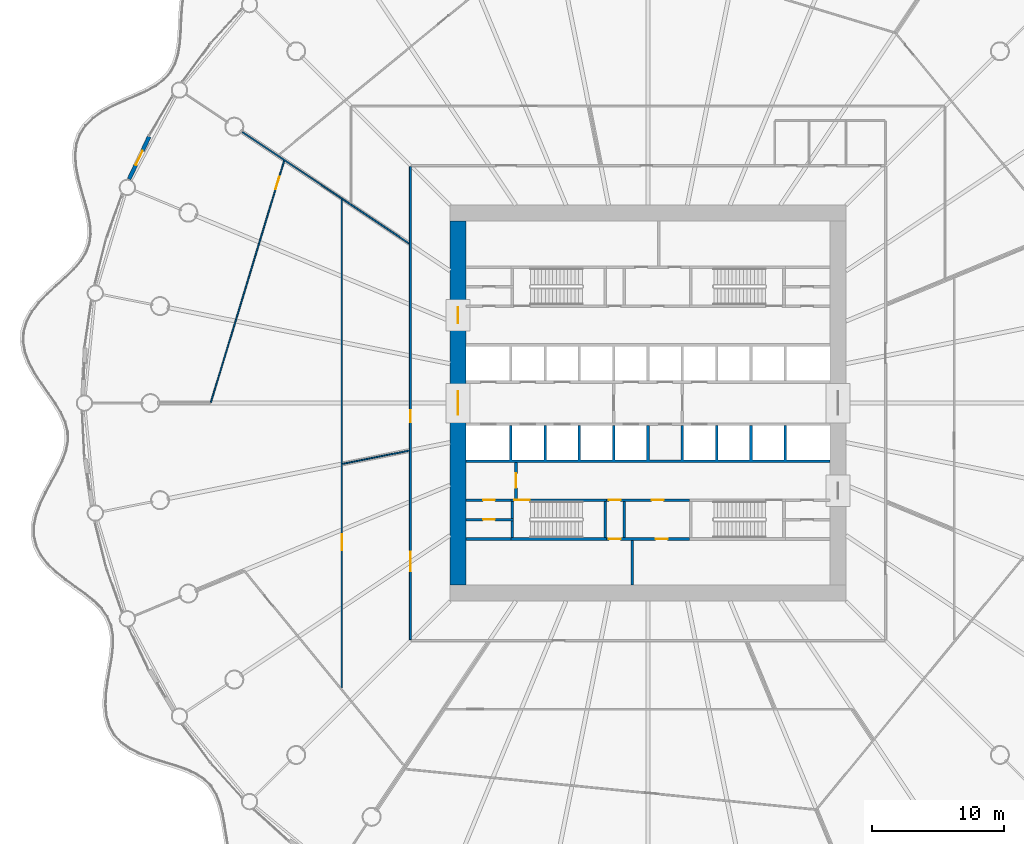
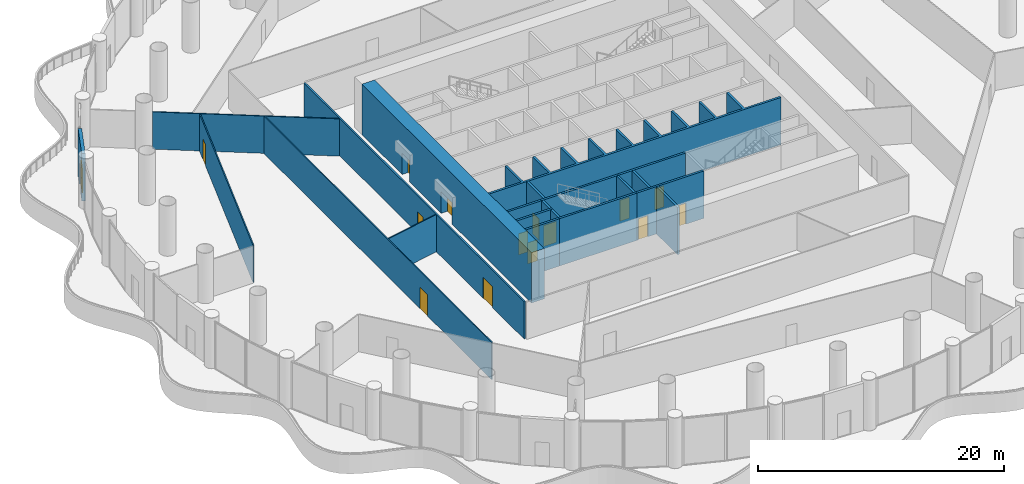
# One storey, part 25 of 38: 21 walls, 15 doors, 15 openings.
"""IFC4 building model written with IfcOpenShell, lengths in metres."""

from ifc_helpers import new_model, si_unit, direction, frame, frame_2d, origin, place, context, subcontext, project, spatial, polyline, rectangle, outline, extrude, material, layer, layer_set, type_object, element, fill, save


model = new_model("IFC4")

# Units and contexts
model_context = context("Model", 3, precision=1e-05, world=origin(), true_north=direction((0.0, 1.0)))
body_context = subcontext(model_context, "Body", "Model", "MODEL_VIEW")
ifc_project = project(units=[si_unit("LENGTHUNIT", "METRE"), si_unit("AREAUNIT", "SQUARE_METRE"), si_unit("VOLUMEUNIT", "CUBIC_METRE"), si_unit("PLANEANGLEUNIT", "RADIAN"), si_unit("MASSUNIT", "GRAM", prefix="KILO")], contexts=[model_context])

# Site, building, storey
site_placement = place(None, origin())
site = spatial("IfcSite", under=ifc_project, at=site_placement, CompositionType="ELEMENT")
building_placement = place(site_placement, origin())
building = spatial("IfcBuilding", under=site, at=building_placement, Name="Corvane Civic Tower", CompositionType="ELEMENT")
storey_placement = place(building_placement, frame((0.0, 0.0, 32.0)))
storey = spatial("IfcBuildingStorey", under=building, at=storey_placement, Name="L06", CompositionType="ELEMENT", Elevation=32.0)

# Wall, openings, doors
ifc_material_1 = material(Name="Concrete C80/95", Category="concrete")
ifc_layer_1 = layer(ifc_material_1, 1.199951171875)
ifc_layer_set_1 = layer_set([ifc_layer_1], Name="Concrete C80/95")
wall_type_1 = type_object("IfcWallType", Name="CORE WALL 1200 C80/95", PredefinedType="SHEAR", material=ifc_layer_set_1)
wall_1_placement = place(storey_placement, frame((-14.39990234375, -13.800048828125, 0.0), z_axis=(0.0, 0.0, 1.0), x_axis=(0.0, 1.0, 0.0)))
wall_1 = element("IfcWall", 1, at=wall_1_placement, inside=storey, type_object=wall_type_1, Name="W-L06-core-W", PredefinedType="SHEAR", context=body_context, shape_type="SweptSolid", body=[
    extrude(rectangle(XDim=27.60009765625, YDim=1.199951171875, at=frame_2d((13.800048828125, 0.0))), origin(), (0.0, 0.0, 1.0), 5.0),
])
opening_1_placement = place(wall_1_placement, frame((12.89990234375, 0.0, 0.0)))
opening_1 = element("IfcOpeningElement", 2, at=opening_1_placement, cuts=wall_1, Name="Opening L06.C25", PredefinedType="OPENING", context=body_context, shape_type="SweptSolid", body=[
    extrude(rectangle(XDim=1.800048828125, YDim=2.10009765625, at=frame_2d((0.89990234375, 1.050048828125))), frame((0.0, 0.60986328125, 0.0), z_axis=(0.0, -1.0, 0.0), x_axis=(1.0, 0.0, 0.0)), (0.0, 0.0, 1.0), 1.219970703125),
])
opening_2_placement = place(wall_1_placement, frame((19.85009765625, 0.0, 0.0)))
opening_2 = element("IfcOpeningElement", 3, at=opening_2_placement, cuts=wall_1, Name="Opening L06.C27", PredefinedType="OPENING", context=body_context, shape_type="SweptSolid", body=[
    extrude(rectangle(XDim=1.199951171875, YDim=2.10009765625, at=frame_2d((0.60009765625, 1.050048828125))), frame((0.0, 0.60986328125, 0.0), z_axis=(0.0, -1.0, 0.0), x_axis=(1.0, 0.0, 0.0)), (0.0, 0.0, 1.0), 1.219970703125),
])
ifc_material_2 = material(Name="Steel fire door leaf", Category="steel")
door_type_1 = type_object("IfcDoorType", Name="CR-DOOR-CORE-1800", OperationType="DOUBLE_DOOR_SINGLE_SWING", PredefinedType="DOOR", material=ifc_material_2)
door_1_placement = place(opening_1_placement, origin())
door_1 = element("IfcDoor", 4, at=door_1_placement, inside=storey, type_object=door_type_1, Name="L06 door", OperationType="DOUBLE_DOOR_SINGLE_SWING", OverallHeight=2.10009765625, OverallWidth=1.800048828125, PredefinedType="DOOR", context=body_context, shape_type="SweptSolid", body=[
    extrude(rectangle(XDim=1.800048828125, YDim=2.10009765625, at=frame_2d((0.89990234375, 1.050048828125))), frame((0.0, 0.02490234375, 0.0), z_axis=(0.0, -1.0, 0.0), x_axis=(1.0, 0.0, 0.0)), (0.0, 0.0, 1.0), 0.050048828125),
])
fill(opening_1, door_1)
door_2_placement = place(opening_2_placement, origin())
door_2 = element("IfcDoor", 5, at=door_2_placement, inside=storey, type_object=door_type_1, Name="L06 door", OperationType="DOUBLE_DOOR_SINGLE_SWING", OverallHeight=2.10009765625, OverallWidth=1.199951171875, PredefinedType="DOOR", context=body_context, shape_type="SweptSolid", body=[
    extrude(rectangle(XDim=1.199951171875, YDim=2.10009765625, at=frame_2d((0.60009765625, 1.050048828125))), frame((0.0, 0.02490234375, 0.0), z_axis=(0.0, -1.0, 0.0), x_axis=(1.0, 0.0, 0.0)), (0.0, 0.0, 1.0), 0.050048828125),
])
fill(opening_2, door_2)

ifc_material_3 = material(Name="Concrete C30/37", Category="concrete")
ifc_layer_2 = layer(ifc_material_3, 0.199951171875)
ifc_layer_set_2 = layer_set([ifc_layer_2], Name="Concrete C30/37")
wall_type_2 = type_object("IfcWallType", Name="CR-WALL-200", PredefinedType="PARTITIONING", material=ifc_layer_set_2)
wall_2_placement = place(storey_placement, frame((-3.14990234375, -10.300048828125, 0.0), z_axis=(0.0, 0.0, 1.0), x_axis=(1.0, 0.0, 0.0)))
wall_2 = element("IfcWall", 6, at=wall_2_placement, inside=storey, type_object=wall_type_2, Name="L06 partition wall", PredefinedType="PARTITIONING", context=body_context, shape_type="SweptSolid", body=[
    extrude(rectangle(XDim=6.2998046875, YDim=0.199951171875, at=frame_2d((3.14990234375, 0.0))), origin(), (0.0, 0.0, 1.0), 4.699951171875),
])
opening_3_placement = place(wall_2_placement, frame((0.175048828125, 0.0, 0.0)))
opening_3 = element("IfcOpeningElement", 7, at=opening_3_placement, cuts=wall_2, Name="Opening L06.C08", PredefinedType="OPENING", context=body_context, shape_type="SweptSolid", body=[
    extrude(rectangle(XDim=0.89990234375, YDim=2.10009765625, at=frame_2d((0.449951171875, 1.050048828125))), frame((0.0, 0.10986328125, 0.0), z_axis=(0.0, -1.0, 0.0), x_axis=(1.0, 0.0, 0.0)), (0.0, 0.0, 1.0), 0.219970703125),
])
opening_4_placement = place(wall_2_placement, frame((3.72509765625, 0.0, 0.0)))
opening_4 = element("IfcOpeningElement", 8, at=opening_4_placement, cuts=wall_2, Name="Opening L06.C09", PredefinedType="OPENING", context=body_context, shape_type="SweptSolid", body=[
    extrude(rectangle(XDim=0.89990234375, YDim=2.10009765625, at=frame_2d((0.449951171875, 1.050048828125))), frame((0.0, 0.10986328125, 0.0), z_axis=(0.0, -1.0, 0.0), x_axis=(1.0, 0.0, 0.0)), (0.0, 0.0, 1.0), 0.219970703125),
])
ifc_material_4 = material(Name="Steel fire door leaf", Category="steel")
door_type_2 = type_object("IfcDoorType", Name="CR-DOOR-900", OperationType="SINGLE_SWING_LEFT", PredefinedType="DOOR", material=ifc_material_4)
door_3_placement = place(opening_3_placement, origin())
door_3 = element("IfcDoor", 9, at=door_3_placement, inside=storey, type_object=door_type_2, Name="L06 door", OperationType="SINGLE_SWING_LEFT", OverallHeight=2.10009765625, OverallWidth=0.89990234375, PredefinedType="DOOR", context=body_context, shape_type="SweptSolid", body=[
    extrude(rectangle(XDim=0.89990234375, YDim=2.10009765625, at=frame_2d((0.449951171875, 1.050048828125))), frame((0.0, 0.02490234375, 0.0), z_axis=(0.0, -1.0, 0.0), x_axis=(1.0, 0.0, 0.0)), (0.0, 0.0, 1.0), 0.050048828125),
])
fill(opening_3, door_3)
door_4_placement = place(opening_4_placement, origin())
door_4 = element("IfcDoor", 10, at=door_4_placement, inside=storey, type_object=door_type_2, Name="L06 door", OperationType="SINGLE_SWING_LEFT", OverallHeight=2.10009765625, OverallWidth=0.89990234375, PredefinedType="DOOR", context=body_context, shape_type="SweptSolid", body=[
    extrude(rectangle(XDim=0.89990234375, YDim=2.10009765625, at=frame_2d((0.449951171875, 1.050048828125))), frame((0.0, 0.02490234375, 0.0), z_axis=(0.0, -1.0, 0.0), x_axis=(1.0, 0.0, 0.0)), (0.0, 0.0, 1.0), 0.050048828125),
])
fill(opening_4, door_4)

# Wall, opening, door
wall_3_placement = place(storey_placement, frame((-13.800048828125, -8.824951171875, 0.0), z_axis=(0.0, 0.0, 1.0), x_axis=(1.0, 0.0, 0.0)))
wall_3 = element("IfcWall", 11, at=wall_3_placement, inside=storey, type_object=wall_type_2, Name="L06 partition wall", PredefinedType="PARTITIONING", context=body_context, shape_type="SweptSolid", body=[
    extrude(rectangle(XDim=3.60009765625, YDim=0.199951171875, at=frame_2d((1.800048828125, 0.0))), origin(), (0.0, 0.0, 1.0), 4.699951171875),
])
opening_5_placement = place(wall_3_placement, frame((1.300048828125, 0.0, 0.0)))
opening_5 = element("IfcOpeningElement", 12, at=opening_5_placement, cuts=wall_3, Name="Opening L06.C13", PredefinedType="OPENING", context=body_context, shape_type="SweptSolid", body=[
    extrude(rectangle(XDim=0.89990234375, YDim=2.10009765625, at=frame_2d((0.449951171875, 1.050048828125))), frame((0.0, 0.10986328125, 0.0), z_axis=(0.0, -1.0, 0.0), x_axis=(1.0, 0.0, 0.0)), (0.0, 0.0, 1.0), 0.219970703125),
])
door_5_placement = place(opening_5_placement, origin())
door_5 = element("IfcDoor", 13, at=door_5_placement, inside=storey, type_object=door_type_2, Name="L06 door", OperationType="SINGLE_SWING_LEFT", OverallHeight=2.10009765625, OverallWidth=0.89990234375, PredefinedType="DOOR", context=body_context, shape_type="SweptSolid", body=[
    extrude(rectangle(XDim=0.89990234375, YDim=2.10009765625, at=frame_2d((0.449951171875, 1.050048828125))), frame((0.0, 0.02490234375, 0.0), z_axis=(0.0, -1.0, 0.0), x_axis=(1.0, 0.0, 0.0)), (0.0, 0.0, 1.0), 0.050048828125),
])
fill(opening_5, door_5)

wall_4_placement = place(storey_placement, frame((-13.800048828125, -7.35009765625, 0.0), z_axis=(0.0, 0.0, 1.0), x_axis=(1.0, 0.0, 0.0)))
wall_4 = element("IfcWall", 14, at=wall_4_placement, inside=storey, type_object=wall_type_2, Name="L06 core partition wall", PredefinedType="PARTITIONING", context=body_context, shape_type="SweptSolid", body=[
    extrude(rectangle(XDim=3.400146484375, YDim=0.199951171875, at=frame_2d((1.7001953125, 0.0))), origin(), (0.0, 0.0, 1.0), 4.699951171875),
])
opening_6_placement = place(wall_4_placement, frame((1.300048828125, 0.0, 0.0)))
opening_6 = element("IfcOpeningElement", 15, at=opening_6_placement, cuts=wall_4, Name="Opening L06.C12", PredefinedType="OPENING", context=body_context, shape_type="SweptSolid", body=[
    extrude(rectangle(XDim=0.89990234375, YDim=2.10009765625, at=frame_2d((0.449951171875, 1.050048828125))), frame((0.0, 0.10986328125, 0.0), z_axis=(0.0, -1.0, 0.0), x_axis=(1.0, 0.0, 0.0)), (0.0, 0.0, 1.0), 0.219970703125),
])
door_6_placement = place(opening_6_placement, origin())
door_6 = element("IfcDoor", 16, at=door_6_placement, inside=storey, type_object=door_type_2, Name="L06 door", OperationType="SINGLE_SWING_LEFT", OverallHeight=2.10009765625, OverallWidth=0.89990234375, PredefinedType="DOOR", context=body_context, shape_type="SweptSolid", body=[
    extrude(rectangle(XDim=0.89990234375, YDim=2.10009765625, at=frame_2d((0.449951171875, 1.050048828125))), frame((0.0, 0.02490234375, 0.0), z_axis=(0.0, -1.0, 0.0), x_axis=(1.0, 0.0, 0.0)), (0.0, 0.0, 1.0), 0.050048828125),
])
fill(opening_6, door_6)

# Wall, openings, doors
wall_5_placement = place(storey_placement, frame((-3.14990234375, -7.35009765625, 0.0), z_axis=(0.0, 0.0, 1.0), x_axis=(1.0, 0.0, 0.0)))
wall_5 = element("IfcWall", 17, at=wall_5_placement, inside=storey, type_object=wall_type_2, Name="L06 core partition wall", PredefinedType="PARTITIONING", context=body_context, shape_type="SweptSolid", body=[
    extrude(rectangle(XDim=6.2998046875, YDim=0.199951171875, at=frame_2d((3.14990234375, 0.0))), origin(), (0.0, 0.0, 1.0), 4.699951171875),
])
opening_7_placement = place(wall_5_placement, frame((0.175048828125, 0.0, 0.0)))
opening_7 = element("IfcOpeningElement", 18, at=opening_7_placement, cuts=wall_5, Name="Opening L06.C04", PredefinedType="OPENING", context=body_context, shape_type="SweptSolid", body=[
    extrude(rectangle(XDim=0.89990234375, YDim=2.10009765625, at=frame_2d((0.449951171875, 1.050048828125))), frame((0.0, 0.10986328125, 0.0), z_axis=(0.0, -1.0, 0.0), x_axis=(1.0, 0.0, 0.0)), (0.0, 0.0, 1.0), 0.219970703125),
])
opening_8_placement = place(wall_5_placement, frame((3.425048828125, 0.0, 0.0)))
opening_8 = element("IfcOpeningElement", 19, at=opening_8_placement, cuts=wall_5, Name="Opening L06.C05", PredefinedType="OPENING", context=body_context, shape_type="SweptSolid", body=[
    extrude(rectangle(XDim=0.89990234375, YDim=2.10009765625, at=frame_2d((0.449951171875, 1.050048828125))), frame((0.0, 0.10986328125, 0.0), z_axis=(0.0, -1.0, 0.0), x_axis=(1.0, 0.0, 0.0)), (0.0, 0.0, 1.0), 0.219970703125),
])
door_7_placement = place(opening_7_placement, origin())
door_7 = element("IfcDoor", 20, at=door_7_placement, inside=storey, type_object=door_type_2, Name="L06 door", OperationType="SINGLE_SWING_LEFT", OverallHeight=2.10009765625, OverallWidth=0.89990234375, PredefinedType="DOOR", context=body_context, shape_type="SweptSolid", body=[
    extrude(rectangle(XDim=0.89990234375, YDim=2.10009765625, at=frame_2d((0.449951171875, 1.050048828125))), frame((0.0, 0.02490234375, 0.0), z_axis=(0.0, -1.0, 0.0), x_axis=(1.0, 0.0, 0.0)), (0.0, 0.0, 1.0), 0.050048828125),
])
fill(opening_7, door_7)
door_8_placement = place(opening_8_placement, origin())
door_8 = element("IfcDoor", 21, at=door_8_placement, inside=storey, type_object=door_type_2, Name="L06 door", OperationType="SINGLE_SWING_LEFT", OverallHeight=2.10009765625, OverallWidth=0.89990234375, PredefinedType="DOOR", context=body_context, shape_type="SweptSolid", body=[
    extrude(rectangle(XDim=0.89990234375, YDim=2.10009765625, at=frame_2d((0.449951171875, 1.050048828125))), frame((0.0, 0.02490234375, 0.0), z_axis=(0.0, -1.0, 0.0), x_axis=(1.0, 0.0, 0.0)), (0.0, 0.0, 1.0), 0.050048828125),
])
fill(opening_8, door_8)

# Wall, opening, door
wall_6_placement = place(storey_placement, frame((-10.0, -7.25, 0.0), z_axis=(0.0, 0.0, 1.0), x_axis=(0.0, 1.0, 0.0)))
wall_6 = element("IfcWall", 22, at=wall_6_placement, inside=storey, type_object=wall_type_2, Name="L06 core partition wall", PredefinedType="PARTITIONING", context=body_context, shape_type="SweptSolid", body=[
    extrude(rectangle(XDim=2.75, YDim=0.199951171875, at=frame_2d((1.375, 0.0))), origin(), (0.0, 0.0, 1.0), 4.699951171875),
])
opening_9_placement = place(wall_6_placement, frame((0.824951171875, 0.0, 0.0)))
opening_9 = element("IfcOpeningElement", 23, at=opening_9_placement, cuts=wall_6, Name="Opening L06.C24", PredefinedType="OPENING", context=body_context, shape_type="SweptSolid", body=[
    extrude(rectangle(XDim=1.10009765625, YDim=2.10009765625, at=frame_2d((0.550048828125, 1.050048828125))), frame((0.0, 0.10986328125, 0.0), z_axis=(0.0, -1.0, 0.0), x_axis=(1.0, 0.0, 0.0)), (0.0, 0.0, 1.0), 0.219970703125),
])
ifc_material_5 = material(Name="Steel fire door leaf", Category="steel")
door_type_3 = type_object("IfcDoorType", Name="CR-DOOR-FFL-1100", OperationType="SINGLE_SWING_LEFT", PredefinedType="DOOR", material=ifc_material_5)
door_9_placement = place(opening_9_placement, origin())
door_9 = element("IfcDoor", 24, at=door_9_placement, inside=storey, type_object=door_type_3, Name="L06 lobby door", OperationType="SINGLE_SWING_LEFT", OverallHeight=2.10009765625, OverallWidth=1.10009765625, PredefinedType="DOOR", context=body_context, shape_type="SweptSolid", body=[
    extrude(rectangle(XDim=1.10009765625, YDim=2.10009765625, at=frame_2d((0.550048828125, 1.050048828125))), frame((0.0, 0.02490234375, 0.0), z_axis=(0.0, -1.0, 0.0), x_axis=(1.0, 0.0, 0.0)), (0.0, 0.0, 1.0), 0.050048828125),
])
fill(opening_9, door_9)

# Walls
wall_7_placement = place(storey_placement, origin())
element("IfcWall", 25, at=wall_7_placement, inside=storey, type_object=wall_type_2, Name="L06 core partition wall", PredefinedType="PARTITIONING", context=body_context, shape_type="SweptSolid", body=[
    extrude(outline(polyline([(-10.39990234375, -10.39990234375), (-13.800048828125, -10.39990234375), (-13.800048828125, -10.199951171875), (-10.39990234375, -10.199951171875), (-10.39990234375, -10.39990234375)])), origin(), (0.0, 0.0, 1.0), 4.699951171875),
])
wall_8_placement = place(storey_placement, origin())
element("IfcWall", 26, at=wall_8_placement, inside=storey, type_object=wall_type_2, Name="L06 core partition wall", PredefinedType="PARTITIONING", context=body_context, shape_type="SweptSolid", body=[
    extrude(outline(polyline([(-1.699951171875, -7.449951171875), (-1.699951171875, -10.199951171875), (-1.89990234375, -10.199951171875), (-1.89990234375, -7.449951171875), (-1.699951171875, -7.449951171875)])), origin(), (0.0, 0.0, 1.0), 4.699951171875),
])
wall_9_placement = place(storey_placement, origin())
element("IfcWall", 27, at=wall_9_placement, inside=storey, type_object=wall_type_2, Name="L06 core partition wall", PredefinedType="PARTITIONING", context=body_context, shape_type="SweptSolid", body=[
    extrude(outline(polyline([(-1.10009765625, -13.800048828125), (-1.300048828125, -13.800048828125), (-1.300048828125, -10.39990234375), (-1.10009765625, -10.39990234375), (-1.10009765625, -13.800048828125)])), origin(), (0.0, 0.0, 1.0), 4.699951171875),
])
wall_10_placement = place(storey_placement, origin())
element("IfcWall", 28, at=wall_10_placement, inside=storey, type_object=wall_type_2, Name="L06 core partition wall", PredefinedType="PARTITIONING", context=body_context, shape_type="SweptSolid", body=[
    extrude(outline(polyline([(-10.300048828125, -1.699951171875), (-10.300048828125, -4.300048828125), (-7.89990234375, -4.300048828125), (-7.89990234375, -1.699951171875), (-7.699951171875, -1.699951171875), (-7.699951171875, -4.300048828125), (-5.300048828125, -4.300048828125), (-5.300048828125, -1.699951171875), (-5.10009765625, -1.699951171875), (-5.10009765625, -4.300048828125), (-2.699951171875, -4.300048828125), (-2.699951171875, -1.699951171875), (-2.5, -1.699951171875), (-2.5, -4.300048828125), (-0.10009765625, -4.300048828125), (-0.10009765625, -1.699951171875), (0.10009765625, -1.699951171875), (0.10009765625, -4.300048828125), (2.5, -4.300048828125), (2.5, -1.699951171875), (2.699951171875, -1.699951171875), (2.699951171875, -4.300048828125), (5.10009765625, -4.300048828125), (5.10009765625, -1.699951171875), (5.300048828125, -1.699951171875), (5.300048828125, -4.300048828125), (7.699951171875, -4.300048828125), (7.699951171875, -1.699951171875), (7.89990234375, -1.699951171875), (7.89990234375, -4.300048828125), (10.300048828125, -4.300048828125), (10.300048828125, -1.699951171875), (10.5, -1.699951171875), (10.5, -4.300048828125), (13.800048828125, -4.300048828125), (13.800048828125, -4.5), (-13.800048828125, -4.5), (-13.800048828125, -4.300048828125), (-10.5, -4.300048828125), (-10.5, -1.699951171875), (-10.300048828125, -1.699951171875)])), origin(), (0.0, 0.0, 1.0), 4.699951171875),
])

# Wall, opening, door
ifc_material_6 = material(Name="Terracotta cladding", Category="masonry")
ifc_layer_3 = layer(ifc_material_6, 0.300048828125)
ifc_layer_set_3 = layer_set([ifc_layer_3], Name="Terracotta cladding")
wall_type_3 = type_object("IfcWallType", Name="PODIUM-W-DRUMDOOR-300", PredefinedType="SOLIDWALL", material=ifc_layer_set_3)
wall_11_placement = place(storey_placement, frame((-39.317626953125, 16.9697265625, 0.0), z_axis=(0.0, 0.0, 1.0), x_axis=(0.427546758778, 0.903993235074, 0.0)))
wall_11 = element("IfcWall", 29, at=wall_11_placement, inside=storey, type_object=wall_type_3, Name="L06 drum door bay wall 27", PredefinedType="SOLIDWALL", context=body_context, shape_type="SweptSolid", body=[
    extrude(rectangle(XDim=3.559814453125, YDim=0.300048828125, at=frame_2d((1.77978515625, 0.0))), origin(), (0.0, 0.0, 1.0), 4.699951171875),
])
opening_10_placement = place(wall_11_placement, frame((1.179931640625, 0.0, 0.0)))
opening_10 = element("IfcOpeningElement", 30, at=opening_10_placement, cuts=wall_11, Name="Opening ED-L06-27", PredefinedType="OPENING", context=body_context, shape_type="SweptSolid", body=[
    extrude(rectangle(XDim=1.199951171875, YDim=2.39990234375, at=frame_2d((0.60009765625, 1.199951171875))), frame((0.0, 0.159912109375, 0.0), z_axis=(0.0, -1.0, 0.0), x_axis=(1.0, 0.0, 0.0)), (0.0, 0.0, 1.0), 0.320068359375),
])
ifc_material_7 = material(Name="Anodised aluminium and glass", Category="aluminium")
door_type_4 = type_object("IfcDoorType", Name="PODIUM-D-BALCONY-1200", OperationType="SINGLE_SWING_LEFT", PredefinedType="DOOR", material=ifc_material_7)
door_10_placement = place(opening_10_placement, origin())
door_10 = element("IfcDoor", 31, at=door_10_placement, inside=storey, type_object=door_type_4, Name="L06 balcony door 27", OperationType="SINGLE_SWING_LEFT", OverallHeight=2.39990234375, OverallWidth=1.199951171875, PredefinedType="DOOR", context=body_context, shape_type="SweptSolid", body=[
    extrude(rectangle(XDim=1.199951171875, YDim=2.39990234375, at=frame_2d((0.60009765625, 1.199951171875))), frame((0.0, 0.02490234375, 0.0), z_axis=(0.0, -1.0, 0.0), x_axis=(1.0, 0.0, 0.0)), (0.0, 0.0, 1.0), 0.050048828125),
])
fill(opening_10, door_10)

ifc_material_8 = material(Name="Plasterboard")
ifc_layer_4 = layer(ifc_material_8, 0.10009765625)
ifc_layer_set_4 = layer_set([ifc_layer_4], Name="Plasterboard")
wall_type_4 = type_object("IfcWallType", Name="Partition 100 plasterboard on studs", PredefinedType="PARTITIONING", material=ifc_layer_set_4)
wall_12_placement = place(storey_placement, frame((-23.199951171875, -21.578125, 0.0), z_axis=(0.0, 0.0, 1.0), x_axis=(0.0, 1.0, 0.0)))
wall_12 = element("IfcWall", 32, at=wall_12_placement, inside=storey, type_object=wall_type_4, Name="Partition L06.011", PredefinedType="PARTITIONING", context=body_context, shape_type="SweptSolid", body=[
    extrude(rectangle(XDim=36.986328125, YDim=0.10009765625, at=frame_2d((18.4931640625, 0.0))), origin(), (0.0, 0.0, 1.0), 3.699951171875),
])
opening_11_placement = place(wall_12_placement, frame((10.444091796875, 0.0, 0.0)))
opening_11 = element("IfcOpeningElement", 33, at=opening_11_placement, cuts=wall_12, Name="Opening L06.003", PredefinedType="OPENING", context=body_context, shape_type="SweptSolid", body=[
    extrude(rectangle(XDim=1.199951171875, YDim=2.10009765625, at=frame_2d((0.60009765625, 1.050048828125))), frame((0.0, 0.06005859375, 0.0), z_axis=(0.0, -1.0, 0.0), x_axis=(1.0, 0.0, 0.0)), (0.0, 0.0, 1.0), 0.1201171875),
])
ifc_material_9 = material(Name="Timber", Category="wood")
door_type_5 = type_object("IfcDoorType", Name="Double door 1200", OperationType="NOTDEFINED", PredefinedType="DOOR", material=ifc_material_9)
door_11_placement = place(opening_11_placement, origin())
door_11 = element("IfcDoor", 34, at=door_11_placement, inside=storey, type_object=door_type_5, Name="Door L06.003", OperationType="DOUBLE_DOOR_SINGLE_SWING", OverallHeight=2.10009765625, OverallWidth=1.199951171875, PredefinedType="DOOR", context=body_context, shape_type="SweptSolid", body=[
    extrude(rectangle(XDim=1.199951171875, YDim=2.10009765625, at=frame_2d((0.60009765625, 1.050048828125))), frame((0.0, 0.02490234375, 0.0), z_axis=(0.0, -1.0, 0.0), x_axis=(1.0, 0.0, 0.0)), (0.0, 0.0, 1.0), 0.050048828125),
])
fill(opening_11, door_11)

# Wall
wall_13_placement = place(storey_placement, frame((-23.14013671875, -4.602783203125, 0.0), z_axis=(0.0, 0.0, 1.0), x_axis=(0.98079324041, 0.195050300092, 0.0)))
element("IfcWall", 35, at=wall_13_placement, inside=storey, type_object=wall_type_4, Name="Partition L06.022", PredefinedType="PARTITIONING", context=body_context, shape_type="SweptSolid", body=[
    extrude(rectangle(XDim=5.154541015625, YDim=0.10009765625, at=frame_2d((2.5771484375, 0.0))), origin(), (0.0, 0.0, 1.0), 3.699951171875),
])

# Wall, opening, door
wall_14_placement = place(storey_placement, frame((-33.127685546875, 0.035400390625, 0.0), z_axis=(0.0, 0.0, 1.0), x_axis=(0.290281118134, 0.956941415372, 0.0)))
wall_14 = element("IfcWall", 36, at=wall_14_placement, inside=storey, type_object=wall_type_4, Name="Partition L06.025", PredefinedType="PARTITIONING", context=body_context, shape_type="SweptSolid", body=[
    extrude(rectangle(XDim=19.134765625, YDim=0.10009765625, at=frame_2d((9.5673828125, 0.0))), origin(), (0.0, 0.0, 1.0), 3.699951171875),
])
opening_12_placement = place(wall_14_placement, frame((16.896728515625, 0.0, 0.0)))
opening_12 = element("IfcOpeningElement", 37, at=opening_12_placement, cuts=wall_14, Name="Opening L06.002", PredefinedType="OPENING", context=body_context, shape_type="SweptSolid", body=[
    extrude(rectangle(XDim=1.0, YDim=2.10009765625, at=frame_2d((0.5, 1.050048828125))), frame((0.0, 0.06005859375, 0.0), z_axis=(0.0, -1.0, 0.0), x_axis=(1.0, 0.0, 0.0)), (0.0, 0.0, 1.0), 0.1201171875),
])
ifc_material_10 = material(Name="Timber", Category="wood")
door_type_6 = type_object("IfcDoorType", Name="Single door 1000", OperationType="NOTDEFINED", PredefinedType="DOOR", material=ifc_material_10)
door_12_placement = place(opening_12_placement, origin())
door_12 = element("IfcDoor", 38, at=door_12_placement, inside=storey, type_object=door_type_6, Name="Door L06.002", OperationType="SINGLE_SWING_LEFT", OverallHeight=2.10009765625, OverallWidth=1.0, PredefinedType="DOOR", context=body_context, shape_type="SweptSolid", body=[
    extrude(rectangle(XDim=1.0, YDim=2.10009765625, at=frame_2d((0.5, 1.050048828125))), frame((0.0, 0.02490234375, 0.0), z_axis=(0.0, -1.0, 0.0), x_axis=(1.0, 0.0, 0.0)), (0.0, 0.0, 1.0), 0.050048828125),
])
fill(opening_12, door_12)

# Wall
wall_15_placement = place(storey_placement, frame((-30.756103515625, 20.550537109375, 0.0), z_axis=(0.0, 0.0, 1.0), x_axis=(0.83147229833, -0.555566213074, 0.0)))
element("IfcWall", 39, at=wall_15_placement, inside=storey, type_object=wall_type_4, Name="Partition L06.028", PredefinedType="PARTITIONING", context=body_context, shape_type="SweptSolid", body=[
    extrude(rectangle(XDim=15.218017578125, YDim=0.10009765625, at=frame_2d((7.60888671875, 0.0))), origin(), (0.0, 0.0, 1.0), 3.699951171875),
])

# Wall, opening, door
ifc_material_11 = material(Name="Concrete C50/60", Category="concrete")
ifc_layer_5 = layer(ifc_material_11, 0.199951171875)
ifc_layer_set_5 = layer_set([ifc_layer_5], Name="Concrete C50/60")
wall_type_5 = type_object("IfcWallType", Name="ST-WALL-200", PredefinedType="SHEAR", material=ifc_layer_set_5)
wall_16_placement = place(storey_placement, frame((-10.39990234375, -7.35009765625, 0.0), z_axis=(0.0, 0.0, 1.0), x_axis=(1.0, 0.0, 0.0)))
wall_16 = element("IfcWall", 40, at=wall_16_placement, inside=storey, type_object=wall_type_5, Name="L06 stair enclosure wall", PredefinedType="SHEAR", context=body_context, shape_type="SweptSolid", body=[
    extrude(rectangle(XDim=7.25, YDim=0.199951171875, at=frame_2d((3.625, 0.0))), origin(), (0.0, 0.0, 1.0), 4.699951171875),
])
opening_13_placement = place(wall_16_placement, frame((0.25, 0.0, 0.0)))
opening_13 = element("IfcOpeningElement", 41, at=opening_13_placement, cuts=wall_16, Name="Opening L06.C21", PredefinedType="OPENING", context=body_context, shape_type="SweptSolid", body=[
    extrude(rectangle(XDim=1.199951171875, YDim=2.10009765625, at=frame_2d((0.60009765625, 1.050048828125))), frame((0.0, 0.10986328125, 0.0), z_axis=(0.0, -1.0, 0.0), x_axis=(1.0, 0.0, 0.0)), (0.0, 0.0, 1.0), 0.219970703125),
])
ifc_material_12 = material(Name="Steel fire door leaf", Category="steel")
door_type_7 = type_object("IfcDoorType", Name="ST-DOOR-1200", OperationType="SINGLE_SWING_RIGHT", PredefinedType="DOOR", material=ifc_material_12)
door_13_placement = place(opening_13_placement, origin())
door_13 = element("IfcDoor", 42, at=door_13_placement, inside=storey, type_object=door_type_7, Name="L06 stair door", OperationType="SINGLE_SWING_RIGHT", OverallHeight=2.10009765625, OverallWidth=1.199951171875, PredefinedType="DOOR", context=body_context, shape_type="SweptSolid", body=[
    extrude(rectangle(XDim=1.199951171875, YDim=2.10009765625, at=frame_2d((0.60009765625, 1.050048828125))), frame((0.0, 0.02490234375, 0.0), z_axis=(0.0, -1.0, 0.0), x_axis=(1.0, 0.0, 0.0)), (0.0, 0.0, 1.0), 0.050048828125),
])
fill(opening_13, door_13)

# Walls
wall_17_placement = place(storey_placement, origin())
element("IfcWall", 43, at=wall_17_placement, inside=storey, type_object=wall_type_5, Name="L06 stair enclosure wall", PredefinedType="SHEAR", context=body_context, shape_type="SweptSolid", body=[
    extrude(outline(polyline([(-3.14990234375, -10.199951171875), (-3.14990234375, -10.39990234375), (-10.39990234375, -10.39990234375), (-10.39990234375, -10.199951171875), (-3.14990234375, -10.199951171875)])), origin(), (0.0, 0.0, 1.0), 4.699951171875),
])
wall_18_placement = place(storey_placement, origin())
element("IfcWall", 44, at=wall_18_placement, inside=storey, type_object=wall_type_5, Name="L06 stair enclosure wall", PredefinedType="SHEAR", context=body_context, shape_type="SweptSolid", body=[
    extrude(outline(polyline([(-3.14990234375, -7.449951171875), (-3.14990234375, -10.199951171875), (-3.35009765625, -10.199951171875), (-3.35009765625, -7.449951171875), (-3.14990234375, -7.449951171875)])), origin(), (0.0, 0.0, 1.0), 4.699951171875),
])
wall_19_placement = place(storey_placement, origin())
element("IfcWall", 45, at=wall_19_placement, inside=storey, type_object=wall_type_5, Name="L06 stair enclosure wall", PredefinedType="SHEAR", context=body_context, shape_type="SweptSolid", body=[
    extrude(outline(polyline([(-10.199951171875, -7.449951171875), (-10.199951171875, -8.72509765625), (-10.39990234375, -8.72509765625), (-10.39990234375, -7.449951171875), (-10.199951171875, -7.449951171875)])), origin(), (0.0, 0.0, 1.0), 4.699951171875),
])
wall_20_placement = place(storey_placement, origin())
element("IfcWall", 46, at=wall_20_placement, inside=storey, type_object=wall_type_5, Name="L06 stair enclosure wall", PredefinedType="SHEAR", context=body_context, shape_type="SweptSolid", body=[
    extrude(outline(polyline([(-10.199951171875, -8.925048828125), (-10.199951171875, -10.199951171875), (-10.39990234375, -10.199951171875), (-10.39990234375, -8.925048828125), (-10.199951171875, -8.925048828125)])), origin(), (0.0, 0.0, 1.0), 4.699951171875),
])

# Wall, openings, doors
ifc_material_13 = material(Name="Plasterboard")
ifc_layer_6 = layer(ifc_material_13, 0.14990234375)
ifc_layer_set_6 = layer_set([ifc_layer_6], Name="Plasterboard")
wall_type_6 = type_object("IfcWallType", Name="Tenancy wall 150 EI 60", PredefinedType="PARTITIONING", material=ifc_layer_set_6)
wall_21_placement = place(storey_placement, frame((-18.0, -17.925048828125, 0.0), z_axis=(0.0, 0.0, 1.0), x_axis=(0.0, 1.0, 0.0)))
wall_21 = element("IfcWall", 47, at=wall_21_placement, inside=storey, type_object=wall_type_6, Name="Partition L06.014", PredefinedType="PARTITIONING", context=body_context, shape_type="SweptSolid", body=[
    extrude(rectangle(XDim=35.85009765625, YDim=0.14990234375, at=frame_2d((17.925048828125, 0.0))), origin(), (0.0, 0.0, 1.0), 3.699951171875),
])
opening_14_placement = place(wall_21_placement, frame((5.169189453125, 0.0, 0.0)))
opening_14 = element("IfcOpeningElement", 48, at=opening_14_placement, cuts=wall_21, Name="Opening L06.004", PredefinedType="OPENING", context=body_context, shape_type="SweptSolid", body=[
    extrude(rectangle(XDim=1.5, YDim=2.10009765625, at=frame_2d((0.75, 1.050048828125))), frame((0.0, 0.0849609375, 0.0), z_axis=(0.0, -1.0, 0.0), x_axis=(1.0, 0.0, 0.0)), (0.0, 0.0, 1.0), 0.169921875),
])
opening_15_placement = place(wall_21_placement, frame((16.47119140625, 0.0, 0.0)))
opening_15 = element("IfcOpeningElement", 49, at=opening_15_placement, cuts=wall_21, Name="Opening L06.005", PredefinedType="OPENING", context=body_context, shape_type="SweptSolid", body=[
    extrude(rectangle(XDim=0.89990234375, YDim=2.10009765625, at=frame_2d((0.449951171875, 1.050048828125))), frame((0.0, 0.0849609375, 0.0), z_axis=(0.0, -1.0, 0.0), x_axis=(1.0, 0.0, 0.0)), (0.0, 0.0, 1.0), 0.169921875),
])
ifc_material_14 = material(Name="Steel and timber", Category="steel")
door_type_8 = type_object("IfcDoorType", Name="Fire door FD30S 900", OperationType="NOTDEFINED", PredefinedType="DOOR", material=ifc_material_14)
door_14_placement = place(opening_15_placement, origin())
door_14 = element("IfcDoor", 50, at=door_14_placement, inside=storey, type_object=door_type_8, Name="Door L06.005", OperationType="SINGLE_SWING_LEFT", OverallHeight=2.10009765625, OverallWidth=0.89990234375, PredefinedType="DOOR", context=body_context, shape_type="SweptSolid", body=[
    extrude(rectangle(XDim=0.89990234375, YDim=2.10009765625, at=frame_2d((0.449951171875, 1.050048828125))), frame((0.0, 0.02490234375, 0.0), z_axis=(0.0, -1.0, 0.0), x_axis=(1.0, 0.0, 0.0)), (0.0, 0.0, 1.0), 0.050048828125),
])
fill(opening_15, door_14)
ifc_material_15 = material(Name="Steel and timber", Category="steel")
door_type_9 = type_object("IfcDoorType", Name="Fire door FD60 double 1500", OperationType="NOTDEFINED", PredefinedType="DOOR", material=ifc_material_15)
door_15_placement = place(opening_14_placement, origin())
door_15 = element("IfcDoor", 51, at=door_15_placement, inside=storey, type_object=door_type_9, Name="Door L06.004", OperationType="DOUBLE_DOOR_SINGLE_SWING", OverallHeight=2.10009765625, OverallWidth=1.5, PredefinedType="DOOR", context=body_context, shape_type="SweptSolid", body=[
    extrude(rectangle(XDim=1.5, YDim=2.10009765625, at=frame_2d((0.75, 1.050048828125))), frame((0.0, 0.02490234375, 0.0), z_axis=(0.0, -1.0, 0.0), x_axis=(1.0, 0.0, 0.0)), (0.0, 0.0, 1.0), 0.050048828125),
])
fill(opening_14, door_15)

save(model, "model.ifc")
